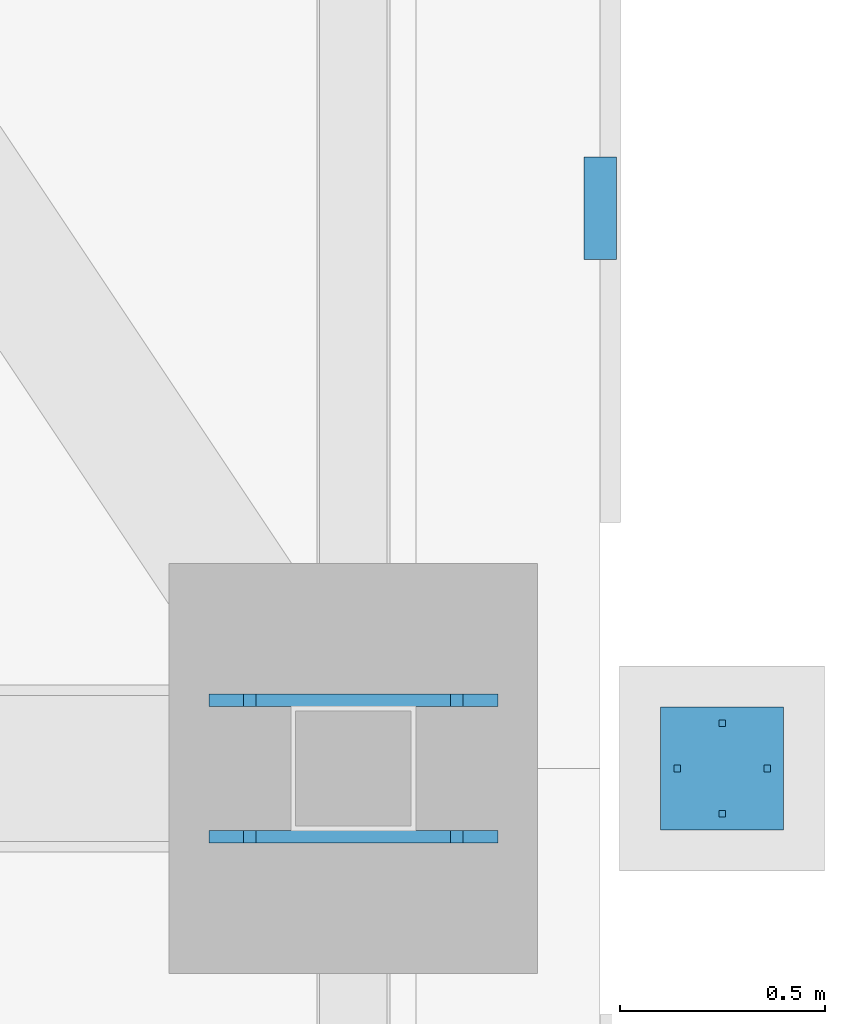
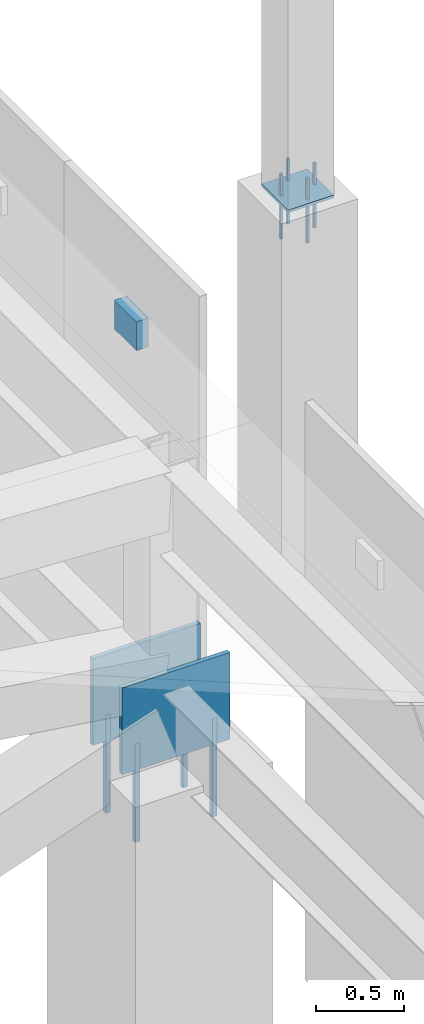
# One storey, part 207 of 278: 8 mechanical fasteners, 4 discrete accessories.
"""IFC4 building model written with IfcOpenShell, lengths in metres."""

from ifc_helpers import new_model, si_unit, direction, frame, origin, origin_2d, place, context, subcontext, project, spatial, rectangle, extrude, material, layer, layer_set, type_object, element, save


model = new_model("IFC4")

# Units and contexts
model_context = context("Model", 3, precision=1e-05, world=origin(), true_north=direction((0.0, 1.0)))
body_context = subcontext(model_context, "Body", "Model", "MODEL_VIEW")
ifc_project = project(units=[si_unit("LENGTHUNIT", "METRE"), si_unit("AREAUNIT", "SQUARE_METRE"), si_unit("VOLUMEUNIT", "CUBIC_METRE"), si_unit("PLANEANGLEUNIT", "RADIAN"), si_unit("MASSUNIT", "GRAM", prefix="KILO")], contexts=[model_context])

# Site, building, storey
site_placement = place(None, origin())
site = spatial("IfcSite", under=ifc_project, at=site_placement, CompositionType="ELEMENT")
building_placement = place(site_placement, origin())
building = spatial("IfcBuilding", under=site, at=building_placement, Name="Ogive Plaza Stadium", CompositionType="ELEMENT")
storey_placement = place(building_placement, frame((0.0, 0.0, 29.0)))
storey = spatial("IfcBuildingStorey", under=building, at=storey_placement, Name="Roof", CompositionType="ELEMENT", Elevation=29.0)

# Mechanical fasteners
ifc_material_1 = material(Name="Steel ASTM A992 Grade 50", Category="steel")
mechanical_fastener_type_1 = type_object("IfcMechanicalFastenerType", Name="Anchor bolt M30 x 600", PredefinedType="ANCHORBOLT", material=ifc_material_1)
for number, where, z_axis, x_axis, name in (
    (1, (84.25244140625, 22.66650390625, 3.0), (0.0, 0.0, 1.0), (1.0, 0.0, 0.0), "ANCHOR BOLT 03 BF 1.1"),
    (2, (83.74755859375, 22.66650390625, 3.0), (0.0, 0.0, 1.0), (1.0, 0.0, 0.0), "ANCHOR BOLT 03 BF 1.2"),
    (3, (84.25244140625, 22.33349609375, 3.0), (0.0, 0.0, 1.0), (1.0, 0.0, 0.0), "ANCHOR BOLT 03 BF 2.1"),
    (4, (83.74755859375, 22.33349609375, 3.0), (0.0, 0.0, 1.0), (1.0, 0.0, 0.0), "ANCHOR BOLT 03 BF 2.2"),
):
    element("IfcMechanicalFastener", number, at=place(storey_placement, frame(where, z_axis=z_axis, x_axis=x_axis)), inside=storey, type_object=mechanical_fastener_type_1, Name=name, PredefinedType="ANCHORBOLT", context=body_context, shape_type="SweptSolid", body=[
        extrude(rectangle(XDim=0.030029296875, YDim=0.030029296875, at=origin_2d()), origin(), (0.0, 0.0, 1.0), 0.679931640625),
    ])
ifc_material_2 = material(Name="Steel ASTM A992 Grade 50", Category="steel")
mechanical_fastener_type_2 = type_object("IfcMechanicalFastenerType", Name="Spire anchor bolt M16 x 450", PredefinedType="ANCHORBOLT", material=ifc_material_2)
for number, where, z_axis, x_axis, name in (
    (5, (85.010009765625, 22.5, 6.7001953125), (0.0, 0.0, 1.0), (1.0, 0.0, 0.0), "SPIRE ANCHOR BOLT 03 1"),
    (6, (84.7900390625, 22.5, 6.7001953125), (0.0, 0.0, 1.0), (1.0, 0.0, 0.0), "SPIRE ANCHOR BOLT 03 2"),
    (7, (84.89990234375, 22.610107421875, 6.7001953125), (0.0, 0.0, 1.0), (1.0, 0.0, 0.0), "SPIRE ANCHOR BOLT 03 3"),
    (8, (84.89990234375, 22.389892578125, 6.7001953125), (0.0, 0.0, 1.0), (1.0, 0.0, 0.0), "SPIRE ANCHOR BOLT 03 4"),
):
    element("IfcMechanicalFastener", number, at=place(storey_placement, frame(where, z_axis=z_axis, x_axis=x_axis)), inside=storey, type_object=mechanical_fastener_type_2, Name=name, PredefinedType="ANCHORBOLT", context=body_context, shape_type="SweptSolid", body=[
        extrude(rectangle(XDim=0.01611328125, YDim=0.01611328125, at=origin_2d()), origin(), (0.0, 0.0, 1.0), 0.449951171875),
    ])

# Discrete accessories
ifc_material_3 = material(Name="Steel ASTM A992 Grade 50", Category="steel")
ifc_layer_1 = layer(ifc_material_3, 0.02001953125)
ifc_layer_set_1 = layer_set([ifc_layer_1], Name="Steel ASTM A992 Grade 50")
discrete_accessory_type_1 = type_object("IfcDiscreteAccessoryType", Name="Spire seat plate 20", PredefinedType="ANCHORPLATE", material=ifc_layer_set_1)
discrete_accessory_1_placement = place(storey_placement, frame((84.89990234375, 22.5, 6.98095703125), z_axis=(0.0, 0.0, 1.0), x_axis=(1.0, 0.0, 0.0)))
element("IfcDiscreteAccessory", 9, at=discrete_accessory_1_placement, inside=storey, type_object=discrete_accessory_type_1, Name="SPIRE SEAT PLATE 03", PredefinedType="ANCHORPLATE", context=body_context, shape_type="SweptSolid", body=[
    extrude(rectangle(XDim=0.300048828125, YDim=0.300048828125, at=origin_2d()), origin(), (0.0, 0.0, 1.0), 0.02001953125),
])
ifc_material_4 = material(Name="Steel ASTM A572 Grade 50", Category="steel")
ifc_layer_2 = layer(ifc_material_4, 0.080078125)
ifc_layer_set_2 = layer_set([ifc_layer_2], Name="Steel ASTM A572 Grade 50")
discrete_accessory_type_2 = type_object("IfcDiscreteAccessoryType", Name="Tracery screen bracket 250x200", PredefinedType="BRACKET", material=ifc_layer_set_2)
discrete_accessory_2_placement = place(storey_placement, frame((84.602294921875, 23.86669921875, 5.25), z_axis=(0.0, 0.0, 1.0), x_axis=(0.0, -1.0, 0.0)))
element("IfcDiscreteAccessory", 10, at=discrete_accessory_2_placement, inside=storey, type_object=discrete_accessory_type_2, Name="TRACERY SCREEN BRACKET B02 9", PredefinedType="BRACKET", context=body_context, shape_type="SweptSolid", body=[
    extrude(rectangle(XDim=0.25, YDim=0.080078125, at=origin_2d()), origin(), (0.0, 0.0, 1.0), 0.199951171875),
])
ifc_material_5 = material(Name="Steel ASTM A992 Grade 50", Category="steel")
ifc_layer_3 = layer(ifc_material_5, 0.030029296875)
ifc_layer_set_3 = layer_set([ifc_layer_3], Name="Steel ASTM A992 Grade 50")
discrete_accessory_type_3 = type_object("IfcDiscreteAccessoryType", Name="Truss back-stay foot cleat plate 30", PredefinedType="ANCHORPLATE", material=ifc_layer_set_3)
for number, where, z_axis, x_axis, name in (
    (11, (84.0, 22.66650390625, 3.5), (0.0, 0.0, 1.0), (1.0, 0.0, 0.0), "TRUSS BACK-STAY FOOT CLEAT PLATE 03 1"),
    (12, (84.0, 22.33349609375, 3.5), (0.0, 0.0, 1.0), (1.0, 0.0, 0.0), "TRUSS BACK-STAY FOOT CLEAT PLATE 03 2"),
):
    element("IfcDiscreteAccessory", number, at=place(storey_placement, frame(where, z_axis=z_axis, x_axis=x_axis)), inside=storey, type_object=discrete_accessory_type_3, Name=name, PredefinedType="ANCHORPLATE", context=body_context, shape_type="SweptSolid", body=[
        extrude(rectangle(XDim=0.704833984375, YDim=0.030029296875, at=origin_2d()), origin(), (0.0, 0.0, 1.0), 0.60009765625),
    ])

save(model, "model.ifc")
